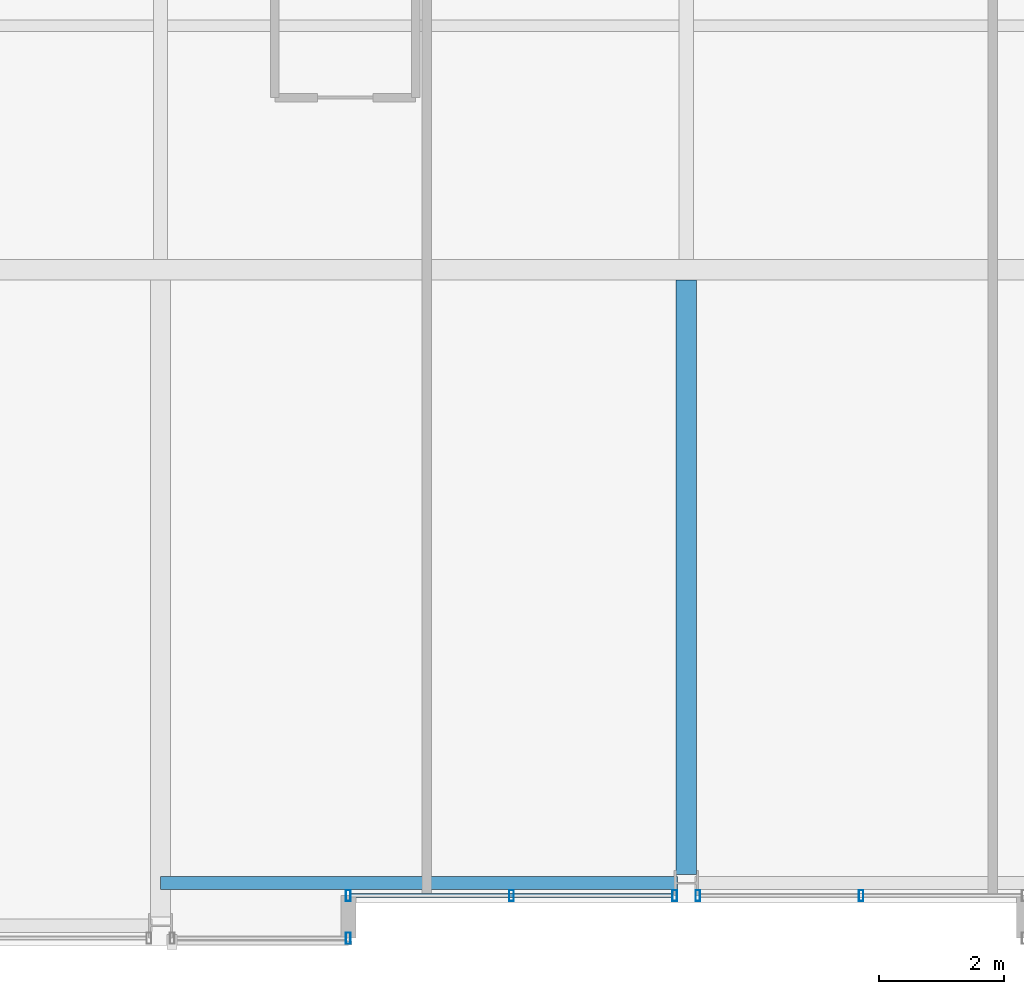
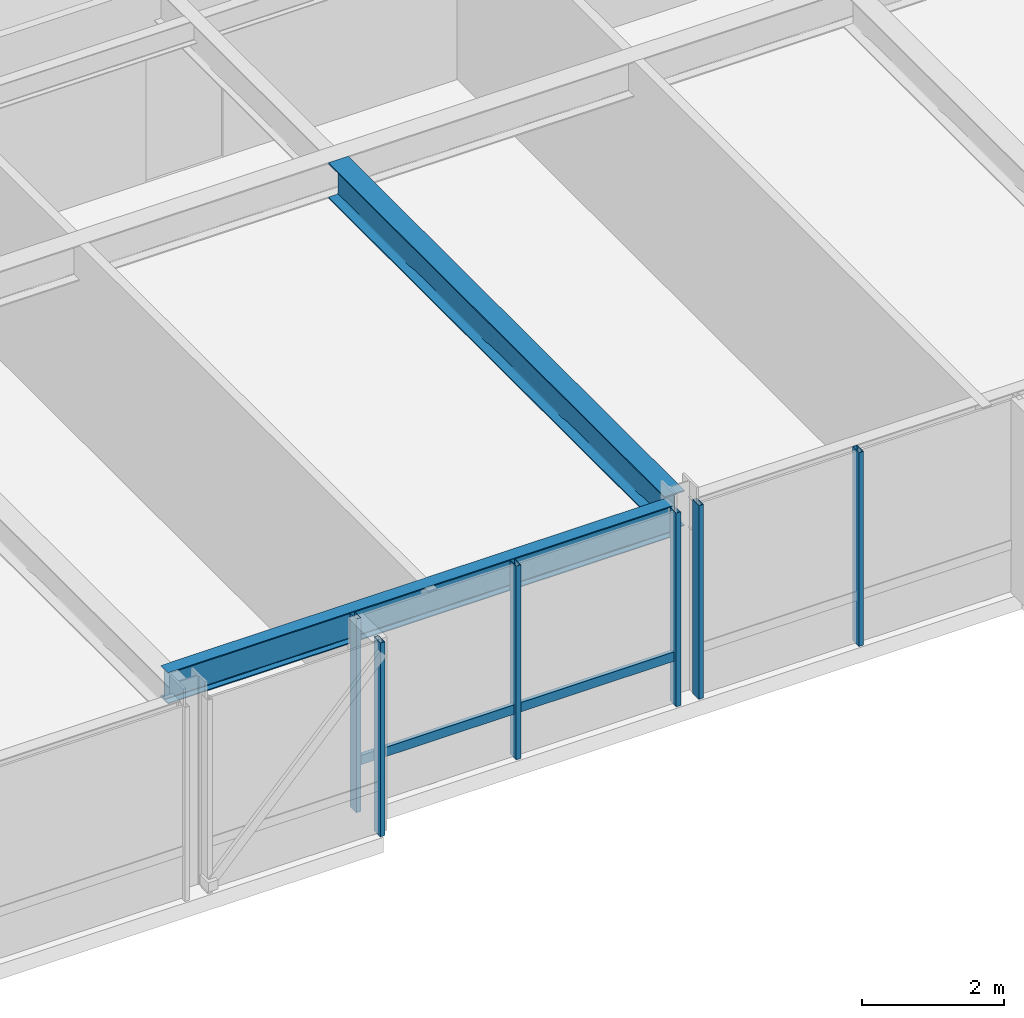
# One storey, part 6 of 32: 7 members, 2 beams, 3 elements without a shape of their own.
"""IFC4 building model written with IfcOpenShell, lengths in metres."""

import ifcopenshell
import ifcopenshell.guid

model = None  # the IFC model being written
_history = None  # IfcOwnerHistory: only IFC2X3 demands one
_inside = {}  # id of a spatial element -> (the spatial element, [elements in it])
_under = {}  # id of a project, library or spatial element -> (it, [spatial elements below it])
_declared = {}  # id of a project -> (the project, [libraries it declares])
_typed = {}  # id of a type object -> (the type object, [elements of that type])
_made_of = {}  # id of a material, layer set ... -> (it, [elements and type objects made of it])


def new_model(schema):
    """Start an empty IFC model of exactly this schema.

    Asked for "IFC4X3", IfcOpenShell would pick the latest addendum, in which some entities
    have other attributes; the version numbers below select the first issue.
    IFC2X3 requires an IfcOwnerHistory on every rooted entity: one is made here for all.
    """
    global model, _history
    if schema == "IFC4X3":
        model = ifcopenshell.file(schema_version=(4, 3, 0, 0))
    else:
        model = ifcopenshell.file(schema=schema)
    _inside.clear()
    _under.clear()
    _declared.clear()
    _typed.clear()
    _made_of.clear()
    _history = None
    if model.schema == "IFC2X3":
        org = make("IfcOrganization", Name="unknown")
        user = make(
            "IfcPersonAndOrganization",
            ThePerson=make("IfcPerson", FamilyName="unknown"),
            TheOrganization=org,
        )
        app = make(
            "IfcApplication",
            ApplicationDeveloper=org,
            Version="unknown",
            ApplicationFullName="unknown",
            ApplicationIdentifier="unknown",
        )
        _history = make(
            "IfcOwnerHistory",
            OwningUser=user,
            OwningApplication=app,
            ChangeAction="ADDED",
            CreationDate=0,
        )
    return model


def make(cls, **values):
    """One entity of the class cls with the attributes given. An attribute that is None is left unset."""
    return model.create_entity(
        cls, **{name: value for name, value in values.items() if value is not None}
    )


def rooted(cls, **values):
    """An entity with a GlobalId (a new one), such as an element, a storey or a relation."""
    return make(cls, GlobalId=ifcopenshell.guid.new(), OwnerHistory=_history, **values)


def si_unit(unit_type, name, prefix=None):
    """IfcSIUnit, for example si_unit("LENGTHUNIT", "METRE", prefix="MILLI")."""
    return make("IfcSIUnit", UnitType=unit_type, Prefix=prefix, Name=name)


def assignment(units):
    """IfcUnitAssignment: the units of a project."""
    return None if units is None else make("IfcUnitAssignment", Units=units)


def point(xyz):
    """IfcCartesianPoint."""
    return None if xyz is None else make("IfcCartesianPoint", Coordinates=xyz)


def direction(xyz):
    """IfcDirection."""
    return None if xyz is None else make("IfcDirection", DirectionRatios=xyz)


def frame(location, z_axis=None, x_axis=None):
    """IfcAxis2Placement3D, a coordinate frame: its origin and axes. An axis left out is left unset."""
    return make(
        "IfcAxis2Placement3D",
        Location=point(location),
        Axis=direction(z_axis),
        RefDirection=direction(x_axis),
    )


def frame_2d(location, x_axis=None):
    """IfcAxis2Placement2D, a coordinate frame in the plane: its origin and x axis."""
    return make(
        "IfcAxis2Placement2D", Location=point(location), RefDirection=direction(x_axis)
    )


def origin():
    """The frame at (0, 0, 0) with its axes left unset."""
    return frame((0.0, 0.0, 0.0))


def origin_2d():
    """The frame at (0, 0) in the plane with its x axis left unset."""
    return frame_2d((0.0, 0.0))


def place(relative_to, where):
    """IfcLocalPlacement: puts the frame where relative to a parent placement (None: the world)."""
    return make(
        "IfcLocalPlacement", PlacementRelTo=relative_to, RelativePlacement=where
    )


def context(
    kind, dimensions, precision=None, world=None, true_north=None, identifier=None
):
    """IfcGeometricRepresentationContext, for example the 3D "Model" context."""
    return make(
        "IfcGeometricRepresentationContext",
        ContextIdentifier=identifier,
        ContextType=kind,
        CoordinateSpaceDimension=dimensions,
        Precision=precision,
        WorldCoordinateSystem=world,
        TrueNorth=true_north,
    )


def subcontext(parent, identifier, kind, view, scale=None):
    """IfcGeometricRepresentationSubContext, for example "Body" below "Model"."""
    return make(
        "IfcGeometricRepresentationSubContext",
        ContextIdentifier=identifier,
        ContextType=kind,
        ParentContext=parent,
        TargetScale=scale,
        TargetView=view,
    )


def project(units=None, contexts=None):
    """IfcProject with its units and contexts."""
    return rooted(
        "IfcProject",
        Name="project",
        RepresentationContexts=contexts,
        UnitsInContext=assignment(units),
    )


def spatial(cls, under=None, at=None, **own):
    """A site, building, storey or space (cls), placed at a placement, below another one or the project."""
    s = rooted(cls, ObjectPlacement=at, **own)
    if under is not None:
        _under.setdefault(under.id(), (under, []))[1].append(s)
    return s


def profile(cls, at=None, kind="AREA", **sizes):
    """A parametric profile (cls). Its sizes go by their IFC names, for example OverallWidth=200.0."""
    return make(cls, ProfileType=kind, Position=at, **sizes)


def hollow_rectangle(**sizes):
    """IfcRectangleHollowProfileDef."""
    return profile("IfcRectangleHollowProfileDef", **sizes)


def i_section(**sizes):
    """IfcIShapeProfileDef."""
    return profile("IfcIShapeProfileDef", **sizes)


def extrude(swept, where, along, depth):
    """IfcExtrudedAreaSolid: the profile swept, set in the frame where, extruded along a direction by depth."""
    return make(
        "IfcExtrudedAreaSolid",
        SweptArea=swept,
        Position=where,
        ExtrudedDirection=direction(along),
        Depth=depth,
    )


def shape(context_of_items, identifier, shape_type, items):
    """IfcShapeRepresentation: the items that make up one representation, for example the "Body"."""
    return make(
        "IfcShapeRepresentation",
        ContextOfItems=context_of_items,
        RepresentationIdentifier=identifier,
        RepresentationType=shape_type,
        Items=items,
    )


def material(Name=None, Category=None):
    """IfcMaterial."""
    return make("IfcMaterial", Name=Name, Category=Category)


def layer(
    of_material, thickness, ventilated=None, Name=None, Category=None, Priority=None
):
    """IfcMaterialLayer: one layer of a wall or slab, of a material (None: an air gap)."""
    return make(
        "IfcMaterialLayer",
        Material=of_material,
        LayerThickness=thickness,
        IsVentilated=ventilated,
        Name=Name,
        Category=Category,
        Priority=Priority,
    )


def layer_set(layers, Name=None):
    """IfcMaterialLayerSet."""
    return make("IfcMaterialLayerSet", MaterialLayers=layers, LayerSetName=Name)


def material_profile(
    of_material, cross_section, Name=None, Category=None, Priority=None
):
    """IfcMaterialProfile: a cross section and its material."""
    return make(
        "IfcMaterialProfile",
        Name=Name,
        Material=of_material,
        Profile=cross_section,
        Priority=Priority,
        Category=Category,
    )


def profile_set(profiles, Name=None, composite=None):
    """IfcMaterialProfileSet."""
    return make(
        "IfcMaterialProfileSet",
        Name=Name,
        MaterialProfiles=profiles,
        CompositeProfile=composite,
    )


def made_of(thing, what):
    """Note that an element or type object is made of a material, layer set ...; save() writes the relation."""
    if what is not None:
        _made_of.setdefault(what.id(), (what, []))[1].append(thing)
    return thing


def type_object(cls, material=None, **own):
    """A type object (cls), such as IfcWallType, which elements share."""
    return made_of(rooted(cls, **own), material)


def element(
    cls,
    number,
    at=None,
    inside=None,
    cuts=None,
    type_object=None,
    material=None,
    context=None,
    identifier="Body",
    shape_type=None,
    held_by="IfcProductDefinitionShape",
    body=None,
    shapes=None,
    **own,
):
    """One element of the class cls, such as IfcWall. Its Tag is "e" and its number.

    at: its placement. inside: the storey or other place that contains it. cuts: it is an
    opening in that element (IfcRelVoidsElement). A single representation is given by context,
    identifier, shape_type and body (its items); several are given by shapes. held_by: the class
    of the entity that holds the representations. save() writes the other relations.
    """
    e = rooted(cls, Tag="e%d" % number, ObjectPlacement=at, **own)
    if body is not None:
        shapes = [shape(context, identifier, shape_type, body)]
    if shapes is not None:
        e.Representation = make(held_by, Representations=shapes)
    if inside is not None:
        _inside.setdefault(inside.id(), (inside, []))[1].append(e)
    if cuts is not None:
        rooted(
            "IfcRelVoidsElement", RelatingBuildingElement=cuts, RelatedOpeningElement=e
        )
    if type_object is not None:
        _typed.setdefault(type_object.id(), (type_object, []))[1].append(e)
    return made_of(e, material)


def aggregate(whole, parts):
    """IfcRelAggregates: a whole, such as a stair, and the parts it consists of."""
    return rooted("IfcRelAggregates", RelatingObject=whole, RelatedObjects=parts)


def save(model, path):
    """Write the relations noted so far, then the file.

    IfcRelAggregates (storeys below a building ...), IfcRelContainedInSpatialStructure (elements
    in a storey), IfcRelDefinesByType, IfcRelAssociatesMaterial and IfcRelDeclares: one each for
    every whole, place, type object, material and project.
    """
    for whole, parts in _under.values():
        aggregate(whole, parts)
    for where, things in _inside.values():
        rooted(
            "IfcRelContainedInSpatialStructure",
            RelatedElements=things,
            RelatingStructure=where,
        )
    for kind, things in _typed.values():
        rooted("IfcRelDefinesByType", RelatedObjects=things, RelatingType=kind)
    for what, things in _made_of.values():
        rooted("IfcRelAssociatesMaterial", RelatedObjects=things, RelatingMaterial=what)
    for by, libraries in _declared.values():
        rooted("IfcRelDeclares", RelatingContext=by, RelatedDefinitions=libraries)
    model.write(path)


model = new_model("IFC4")

# Units and contexts
model_context = context("Model", 3, precision=1e-05, world=origin(), true_north=direction((0.0, 1.0)))
body_context = subcontext(model_context, "Body", "Model", "MODEL_VIEW")
ifc_project = project(units=[si_unit("LENGTHUNIT", "METRE"), si_unit("AREAUNIT", "SQUARE_METRE"), si_unit("VOLUMEUNIT", "CUBIC_METRE"), si_unit("PLANEANGLEUNIT", "RADIAN"), si_unit("MASSUNIT", "GRAM", prefix="KILO")], contexts=[model_context])

# Site, building, storey
site_placement = place(None, origin())
site = spatial("IfcSite", under=ifc_project, at=site_placement, CompositionType="ELEMENT")
building_placement = place(site_placement, origin())
building = spatial("IfcBuilding", under=site, at=building_placement, Name="Drelvath Grand Hotel", CompositionType="ELEMENT")
storey_placement = place(building_placement, frame((0.0, 0.0, 223.10009765625)))
storey = spatial("IfcBuildingStorey", under=building, at=storey_placement, Name="L58", CompositionType="ELEMENT", Elevation=223.10009765625)

# Curtain wall, members
ifc_material_1 = material(Name="Platinum-Mist Anodised Aluminium Frame", Category="aluminium")
ifc_layer = layer(ifc_material_1, 0.199951171875)
ifc_layer_set = layer_set([ifc_layer], Name="Platinum-Mist Anodised Aluminium Frame")
curtain_wall_type = type_object("IfcCurtainWallType", Name="Stick Curtain Wall CW-05 Platinum Mist High-Rise", PredefinedType="NOTDEFINED", material=ifc_layer_set)
curtain_wall_1_placement = place(storey_placement, origin())
curtain_wall_1 = element("IfcCurtainWall", 1, at=curtain_wall_1_placement, inside=storey, type_object=curtain_wall_type, Name="L58 CW-05 Curtain Wall CW05-L58-SM1", PredefinedType="NOTDEFINED")
ifc_material_profile_1 = material_profile(ifc_material_1, hollow_rectangle(XDim=0.06494140625, YDim=0.159912109375, WallThickness=0.00390625, at=origin_2d()), Name="HSS160X65X4")
ifc_profile_set_1 = profile_set([ifc_material_profile_1], Name="Platinum-Mist Anodised Aluminium Frame")
member_type_1 = type_object("IfcMemberType", Name="Curtain Wall Horizontal Transom CW-05 HSS160X65X4", PredefinedType="USERDEFINED", material=ifc_profile_set_1)
member_1_placement = place(storey_placement, frame((-0.225341796875, 0.800048828125, 0.8349609375), z_axis=(-1.0, 0.0, 0.0), x_axis=(0.0, -1.0, 0.0)))
member_1 = element("IfcMember", 2, at=member_1_placement, type_object=member_type_1, Name="CW05-L58-SM1 Sill Transom", ObjectType="TRANSOM", PredefinedType="USERDEFINED", context=body_context, shape_type="SweptSolid", body=[
    extrude(hollow_rectangle(XDim=0.06494140625, YDim=0.159912109375, WallThickness=0.00390625, at=origin_2d()), origin(), (0.0, 0.0, 1.0), 5.134765625),
])
ifc_material_profile_2 = material_profile(ifc_material_1, hollow_rectangle(XDim=0.074951171875, YDim=0.179931640625, WallThickness=0.0048828125, at=origin_2d()), Name="HSS180X75X5")
ifc_profile_set_2 = profile_set([ifc_material_profile_2], Name="Platinum-Mist Anodised Aluminium Frame")
member_type_2 = type_object("IfcMemberType", Name="Curtain Wall Vertical Mullion CW-05 HSS180X75X5", PredefinedType="MULLION", material=ifc_profile_set_2)
member_2_placement = place(storey_placement, frame((-0.185302734375, 0.800048828125, 0.0), z_axis=(0.0, 0.0, 1.0), x_axis=(1.0, 0.0, 0.0)))
member_2 = element("IfcMember", 3, at=member_2_placement, type_object=member_type_2, Name="CW05-L58-SM1 Mullion 1", PredefinedType="MULLION", context=body_context, shape_type="SweptSolid", body=[
    extrude(hollow_rectangle(XDim=0.074951171875, YDim=0.179931640625, WallThickness=0.0048828125, at=origin_2d()), origin(), (0.0, 0.0, 1.0), 3.33984375),
])
member_3_placement = place(storey_placement, frame((-2.792724609375, 0.800048828125, 0.0), z_axis=(0.0, 0.0, 1.0), x_axis=(1.0, 0.0, 0.0)))
member_3 = element("IfcMember", 4, at=member_3_placement, type_object=member_type_2, Name="CW05-L58-SM1 Mullion 2", PredefinedType="MULLION", context=body_context, shape_type="SweptSolid", body=[
    extrude(hollow_rectangle(XDim=0.074951171875, YDim=0.179931640625, WallThickness=0.0048828125, at=origin_2d()), origin(), (0.0, 0.0, 1.0), 3.33984375),
])
member_4_placement = place(storey_placement, frame((-5.39990234375, 0.800048828125, 0.0), z_axis=(0.0, 0.0, 1.0), x_axis=(1.0, 0.0, 0.0)))
member_4 = element("IfcMember", 5, at=member_4_placement, type_object=member_type_2, Name="CW05-L58-SM1 Mullion 3", PredefinedType="MULLION", context=body_context, shape_type="SweptSolid", body=[
    extrude(hollow_rectangle(XDim=0.074951171875, YDim=0.179931640625, WallThickness=0.0048828125, at=origin_2d()), origin(), (0.0, 0.0, 1.0), 3.33984375),
])
aggregate(curtain_wall_1, [member_2, member_3, member_4, member_1])

curtain_wall_2_placement = place(storey_placement, origin())
curtain_wall_2 = element("IfcCurtainWall", 6, at=curtain_wall_2_placement, inside=storey, type_object=curtain_wall_type, Name="L58 CW-05 Curtain Wall CW05-L58-SM2", PredefinedType="NOTDEFINED")
member_5_placement = place(storey_placement, frame((2.792724609375, 0.800048828125, 0.0), z_axis=(0.0, 0.0, 1.0), x_axis=(1.0, 0.0, 0.0)))
member_5 = element("IfcMember", 7, at=member_5_placement, type_object=member_type_2, Name="CW05-L58-SM2 Mullion 2", PredefinedType="MULLION", context=body_context, shape_type="SweptSolid", body=[
    extrude(hollow_rectangle(XDim=0.074951171875, YDim=0.179931640625, WallThickness=0.0048828125, at=origin_2d()), origin(), (0.0, 0.0, 1.0), 3.33984375),
])
member_6_placement = place(storey_placement, frame((0.185302734375, 0.800048828125, 0.0), z_axis=(0.0, 0.0, 1.0), x_axis=(1.0, 0.0, 0.0)))
member_6 = element("IfcMember", 8, at=member_6_placement, type_object=member_type_2, Name="CW05-L58-SM2 Mullion 3", PredefinedType="MULLION", context=body_context, shape_type="SweptSolid", body=[
    extrude(hollow_rectangle(XDim=0.074951171875, YDim=0.179931640625, WallThickness=0.0048828125, at=origin_2d()), origin(), (0.0, 0.0, 1.0), 3.33984375),
])
aggregate(curtain_wall_2, [member_5, member_6])

# Curtain wall, member
curtain_wall_3_placement = place(storey_placement, origin())
curtain_wall_3 = element("IfcCurtainWall", 9, at=curtain_wall_3_placement, inside=storey, type_object=curtain_wall_type, Name="L58 CW-05 Curtain Wall CW05-L58-SW3", PredefinedType="NOTDEFINED")
member_7_placement = place(storey_placement, frame((-5.39990234375, 0.1201171875, 0.0), z_axis=(0.0, 0.0, 1.0), x_axis=(1.0, 0.0, 0.0)))
member_7 = element("IfcMember", 10, at=member_7_placement, type_object=member_type_2, Name="CW05-L58-SW3 Mullion 1", PredefinedType="MULLION", context=body_context, shape_type="SweptSolid", body=[
    extrude(hollow_rectangle(XDim=0.074951171875, YDim=0.179931640625, WallThickness=0.0048828125, at=origin_2d()), origin(), (0.0, 0.0, 1.0), 3.33984375),
])
aggregate(curtain_wall_3, [member_7])

# Beams
ifc_material_2 = material(Name="Steel ASTM A992 Gr 50", Category="steel")
ifc_material_profile_3 = material_profile(ifc_material_2, i_section(OverallWidth=0.210205078125, OverallDepth=0.53662109375, WebThickness=0.010986328125, FlangeThickness=0.017333984375, FilletRadius=0.01806640625, at=origin_2d()), Name="W21X68")
ifc_profile_set_3 = profile_set([ifc_material_profile_3], Name="Steel ASTM A992 Gr 50")
beam_type_1 = type_object("IfcBeamType", Name="Perimeter Spandrel Beam W21X68", PredefinedType="SPANDREL", material=ifc_profile_set_3)
beam_1_placement = place(storey_placement, frame((-8.39990234375, 1.0, 3.071533203125), z_axis=(1.0, 0.0, 0.0), x_axis=(0.0, 1.0, 0.0)))
element("IfcBeam", 11, at=beam_1_placement, inside=storey, type_object=beam_type_1, Name="L58 Spandrel South Mid W", PredefinedType="SPANDREL", context=body_context, shape_type="SweptSolid", body=[
    extrude(i_section(OverallWidth=0.210205078125, OverallDepth=0.53662109375, WebThickness=0.010986328125, FlangeThickness=0.017333984375, FilletRadius=0.01806640625, at=origin_2d()), origin(), (0.0, 0.0, 1.0), 8.260009765625),
])
ifc_material_profile_4 = material_profile(ifc_material_2, i_section(OverallWidth=0.323974609375, OverallDepth=0.611083984375, WebThickness=0.0126953125, FlangeThickness=0.01904296875, FilletRadius=0.02197265625, at=origin_2d()), Name="W24X104")
ifc_profile_set_4 = profile_set([ifc_material_profile_4], Name="Steel ASTM A992 Gr 50")
beam_type_2 = type_object("IfcBeamType", Name="Primary Floor Girder W24X104", PredefinedType="BEAM", material=ifc_profile_set_4)
beam_2_placement = place(storey_placement, frame((0.0, 1.139892578125, 3.034423828125), z_axis=(0.0, 1.0, 0.0), x_axis=(-1.0, 0.0, 0.0)))
element("IfcBeam", 12, at=beam_2_placement, inside=storey, type_object=beam_type_2, Name="L58 South Wing Girder 5", PredefinedType="BEAM", context=body_context, shape_type="SweptSolid", body=[
    extrude(i_section(OverallWidth=0.323974609375, OverallDepth=0.611083984375, WebThickness=0.0126953125, FlangeThickness=0.01904296875, FilletRadius=0.02197265625, at=origin_2d()), origin(), (0.0, 0.0, 1.0), 9.498046875),
])

save(model, "model.ifc")
